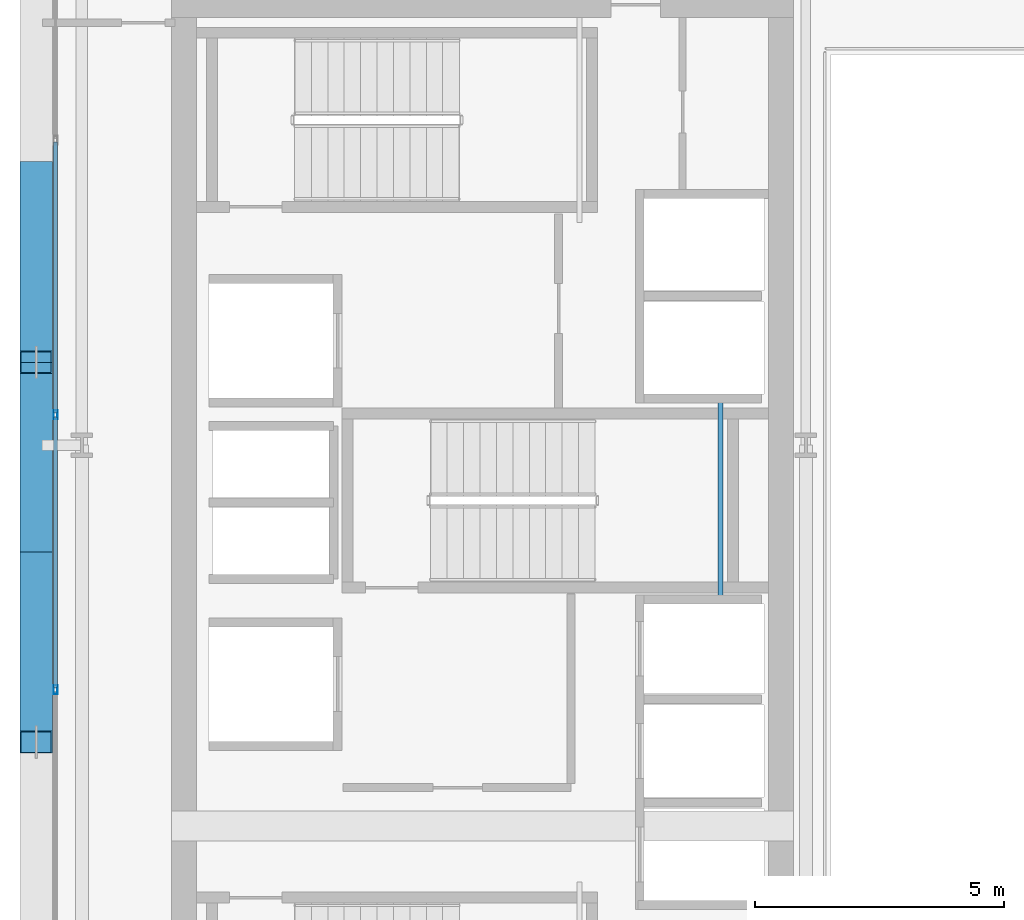
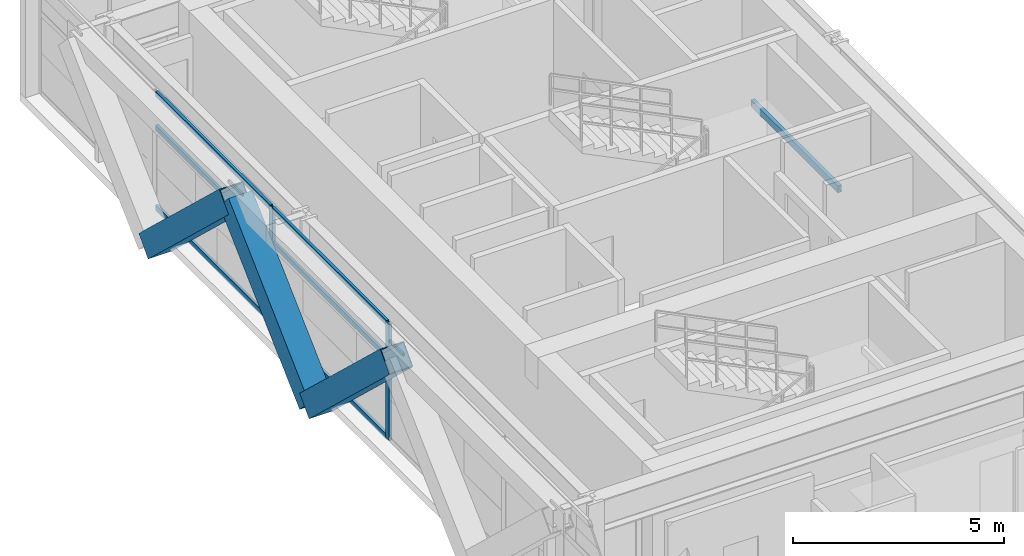
# One storey, part 7 of 32: 11 members, 1 beam, 1 element without a shape of its own.
"""IFC4 building model written with IfcOpenShell, lengths in metres."""

from ifc_helpers import new_model, si_unit, direction, frame, origin, origin_2d, place, context, subcontext, project, spatial, hollow_rectangle, extrude, source, transform, mapped, material, layer, layer_set, material_profile, profile_set, type_object, element, aggregate, save


model = new_model("IFC4")

# Units and contexts
model_context = context("Model", 3, precision=1e-05, world=origin(), true_north=direction((0.0, 1.0)))
body_context = subcontext(model_context, "Body", "Model", "MODEL_VIEW")
ifc_project = project(units=[si_unit("LENGTHUNIT", "METRE"), si_unit("AREAUNIT", "SQUARE_METRE"), si_unit("VOLUMEUNIT", "CUBIC_METRE"), si_unit("PLANEANGLEUNIT", "RADIAN"), si_unit("MASSUNIT", "GRAM", prefix="KILO")], contexts=[model_context])

# Site, building, storey
site_placement = place(None, origin())
site = spatial("IfcSite", under=ifc_project, at=site_placement, CompositionType="ELEMENT")
building_placement = place(site_placement, origin())
building = spatial("IfcBuilding", under=site, at=building_placement, Name="Ocotamira Hotel", CompositionType="ELEMENT")
storey_placement = place(building_placement, frame((0.0, 0.0, 184.800048828125)))
storey = spatial("IfcBuildingStorey", under=building, at=storey_placement, Name="L46", CompositionType="ELEMENT", Elevation=184.800048828125)

# Beam
ifc_material_1 = material(Name="Steel ASTM A500 Grade C", Category="steel")
ifc_material_profile_1 = material_profile(ifc_material_1, hollow_rectangle(XDim=0.10009765625, YDim=0.199951171875, WallThickness=0.008056640625, at=origin_2d()), Name="HSS200X100X8")
ifc_profile_set_1 = profile_set([ifc_material_profile_1], Name="Steel ASTM A500 Grade C")
beam_type = type_object("IfcBeamType", Name="BM-STLDG-HSS200", PredefinedType="BEAM", material=ifc_profile_set_1)
shared_shape_1 = source(origin(), body_context, "Body", "SweptSolid", [
    extrude(hollow_rectangle(XDim=0.10009765625, YDim=0.199951171875, WallThickness=0.008056640625, at=origin_2d()), origin(), (0.0, 0.0, 1.0), 4.1201171875),
])
beam_placement = place(storey_placement, frame((21.780029296875, 24.97998046875, 1.5), z_axis=(0.0, 1.0, 0.0), x_axis=(-1.0, 0.0, 0.0)))
element("IfcBeam", 1, at=beam_placement, inside=storey, type_object=beam_type, Name="L46 Stair ST-3 Landing Bearer 1", PredefinedType="BEAM", context=body_context, shape_type="MappedRepresentation", body=[
    mapped(shared_shape_1, transform((0.0, 0.0, 0.0), scale=1.0)),
])

# Members
ifc_material_2 = material(Name="Pale-metal coated steel ASTM A913 Grade 65", Category="steel")
ifc_material_profile_2 = material_profile(ifc_material_2, hollow_rectangle(XDim=0.64990234375, YDim=0.64990234375, WallThickness=0.02197265625, at=origin_2d()), Name="BOX650X650X22")
ifc_profile_set_2 = profile_set([ifc_material_profile_2], Name="Pale-metal coated steel ASTM A913 Grade 65")
member_type_1 = type_object("IfcMemberType", Name="MEM-EXO-BOX650", PredefinedType="BRACE", material=ifc_profile_set_2)
shared_shape_2 = source(origin(), body_context, "Body", "SweptSolid", [
    extrude(hollow_rectangle(XDim=0.64990234375, YDim=0.64990234375, WallThickness=0.02197265625, at=origin_2d()), origin(), (0.0, 0.0, 1.0), 5.24658203125),
])
for number, where, z_axis, x_axis, name in (
    (2, (8.030029296875, 26.0, -0.47998046875), (0.0, -0.72746596067, 0.686143772154), (1.0, 0.0, 0.0), "L46 Exoskeleton Diagrid W1.1"),
    (3, (8.030029296875, 26.0, -0.47998046875), (0.0, 0.72746596067, 0.686143772154), (-1.0, 0.0, 0.0), "L46 Exoskeleton Diagrid W1.2"),
    (4, (8.030029296875, 33.63330078125, -0.47998046875), (0.0, -0.72746596067, 0.686143772154), (1.0, 0.0, 0.0), "L46 Exoskeleton Diagrid W2.1"),
):
    element("IfcMember", number, at=place(storey_placement, frame(where, z_axis=z_axis, x_axis=x_axis)), inside=storey, type_object=member_type_1, Name=name, PredefinedType="BRACE", context=body_context, shape_type="MappedRepresentation", body=[
        mapped(shared_shape_2, transform((0.0, 0.0, 0.0), scale=1.0)),
    ])

# Curtain wall, members
ifc_material_3 = material(Name="Anodised pale-metal aluminium and solar glass", Category="aluminium")
ifc_layer = layer(ifc_material_3, 0.199951171875)
ifc_layer_set = layer_set([ifc_layer], Name="Anodised pale-metal aluminium and solar glass")
curtain_wall_type = type_object("IfcCurtainWallType", Name="CW-SYS4-Z3", PredefinedType="NOTDEFINED", material=ifc_layer_set)
curtain_wall_placement = place(storey_placement, origin())
curtain_wall = element("IfcCurtainWall", 5, at=curtain_wall_placement, inside=storey, type_object=curtain_wall_type, Name="L46 Curtain Wall CW-4 CW-L46-W", PredefinedType="NOTDEFINED")
ifc_material_4 = material(Name="Anodised pale-metal aluminium 6063-T6", Category="aluminium")
ifc_material_profile_3 = material_profile(ifc_material_4, hollow_rectangle(XDim=0.074951171875, YDim=0.14990234375, WallThickness=0.006103515625, at=origin_2d()), Name="HSS150X75X6")
ifc_profile_set_3 = profile_set([ifc_material_profile_3], Name="Anodised pale-metal aluminium 6063-T6")
member_type_2 = type_object("IfcMemberType", Name="CWT-150X75", PredefinedType="USERDEFINED", material=ifc_profile_set_3)
shared_shape_3 = source(origin(), body_context, "Body", "SweptSolid", [
    extrude(hollow_rectangle(XDim=0.074951171875, YDim=0.14990234375, WallThickness=0.006103515625, at=origin_2d()), origin(), (0.0, 0.0, 1.0), 5.43994140625),
])
member_1_placement = place(storey_placement, frame((8.419921875, 23.280029296875, 0.037353515625), z_axis=(0.0, 1.0, 0.0), x_axis=(-1.0, 0.0, 0.0)))
member_1 = element("IfcMember", 6, at=member_1_placement, type_object=member_type_2, Name="CW-4 transom 3.1", ObjectType="TRANSOM", PredefinedType="USERDEFINED", context=body_context, shape_type="MappedRepresentation", body=[
    mapped(shared_shape_3, transform((0.0, 0.0, 0.0), scale=1.0)),
])
member_2_placement = place(storey_placement, frame((8.419921875, 23.280029296875, 2.349853515625), z_axis=(0.0, 1.0, 0.0), x_axis=(-1.0, 0.0, 0.0)))
member_2 = element("IfcMember", 7, at=member_2_placement, type_object=member_type_2, Name="CW-4 transom 3.2", ObjectType="TRANSOM", PredefinedType="USERDEFINED", context=body_context, shape_type="MappedRepresentation", body=[
    mapped(shared_shape_3, transform((0.0, 0.0, 0.0), scale=1.0)),
])
member_3_placement = place(storey_placement, frame((8.419921875, 23.280029296875, 3.33251953125), z_axis=(0.0, 1.0, 0.0), x_axis=(-1.0, 0.0, 0.0)))
member_3 = element("IfcMember", 8, at=member_3_placement, type_object=member_type_2, Name="CW-4 transom 3.3", ObjectType="TRANSOM", PredefinedType="USERDEFINED", context=body_context, shape_type="MappedRepresentation", body=[
    mapped(shared_shape_3, transform((0.0, 0.0, 0.0), scale=1.0)),
])
member_4_placement = place(storey_placement, frame((8.419921875, 28.800048828125, 0.037353515625), z_axis=(0.0, 1.0, 0.0), x_axis=(-1.0, 0.0, 0.0)))
member_4 = element("IfcMember", 9, at=member_4_placement, type_object=member_type_2, Name="CW-4 transom 4.1", ObjectType="TRANSOM", PredefinedType="USERDEFINED", context=body_context, shape_type="MappedRepresentation", body=[
    mapped(shared_shape_3, transform((0.0, 0.0, 0.0), scale=1.0)),
])
member_5_placement = place(storey_placement, frame((8.419921875, 28.800048828125, 2.349853515625), z_axis=(0.0, 1.0, 0.0), x_axis=(-1.0, 0.0, 0.0)))
member_5 = element("IfcMember", 10, at=member_5_placement, type_object=member_type_2, Name="CW-4 transom 4.2", ObjectType="TRANSOM", PredefinedType="USERDEFINED", context=body_context, shape_type="MappedRepresentation", body=[
    mapped(shared_shape_3, transform((0.0, 0.0, 0.0), scale=1.0)),
])
member_6_placement = place(storey_placement, frame((8.419921875, 28.800048828125, 3.33251953125), z_axis=(0.0, 1.0, 0.0), x_axis=(-1.0, 0.0, 0.0)))
member_6 = element("IfcMember", 11, at=member_6_placement, type_object=member_type_2, Name="CW-4 transom 4.3", ObjectType="TRANSOM", PredefinedType="USERDEFINED", context=body_context, shape_type="MappedRepresentation", body=[
    mapped(shared_shape_3, transform((0.0, 0.0, 0.0), scale=1.0)),
])
ifc_material_profile_4 = material_profile(ifc_material_4, hollow_rectangle(XDim=0.080078125, YDim=0.179931640625, WallThickness=0.006103515625, at=origin_2d()), Name="HSS180X80X6")
ifc_profile_set_4 = profile_set([ifc_material_profile_4], Name="Anodised pale-metal aluminium 6063-T6")
member_type_3 = type_object("IfcMemberType", Name="CWM-180X75", PredefinedType="MULLION", material=ifc_profile_set_4)
shared_shape_4 = source(origin(), body_context, "Body", "SweptSolid", [
    extrude(hollow_rectangle(XDim=0.080078125, YDim=0.179931640625, WallThickness=0.006103515625, at=origin_2d()), origin(), (0.0, 0.0, 1.0), 3.369873046875),
])
member_7_placement = place(storey_placement, frame((8.419921875, 23.239990234375, 0.0), z_axis=(0.0, 0.0, 1.0), x_axis=(-1.0, 0.0, 0.0)))
member_7 = element("IfcMember", 12, at=member_7_placement, type_object=member_type_3, Name="CW-4 mullion 3", PredefinedType="MULLION", context=body_context, shape_type="MappedRepresentation", body=[
    mapped(shared_shape_4, transform((0.0, 0.0, 0.0), scale=1.0)),
])
member_8_placement = place(storey_placement, frame((8.419921875, 28.760009765625, 0.0), z_axis=(0.0, 0.0, 1.0), x_axis=(-1.0, 0.0, 0.0)))
member_8 = element("IfcMember", 13, at=member_8_placement, type_object=member_type_3, Name="CW-4 mullion 4", PredefinedType="MULLION", context=body_context, shape_type="MappedRepresentation", body=[
    mapped(shared_shape_4, transform((0.0, 0.0, 0.0), scale=1.0)),
])
aggregate(curtain_wall, [member_7, member_8, member_1, member_2, member_3, member_4, member_5, member_6])

save(model, "model.ifc")
